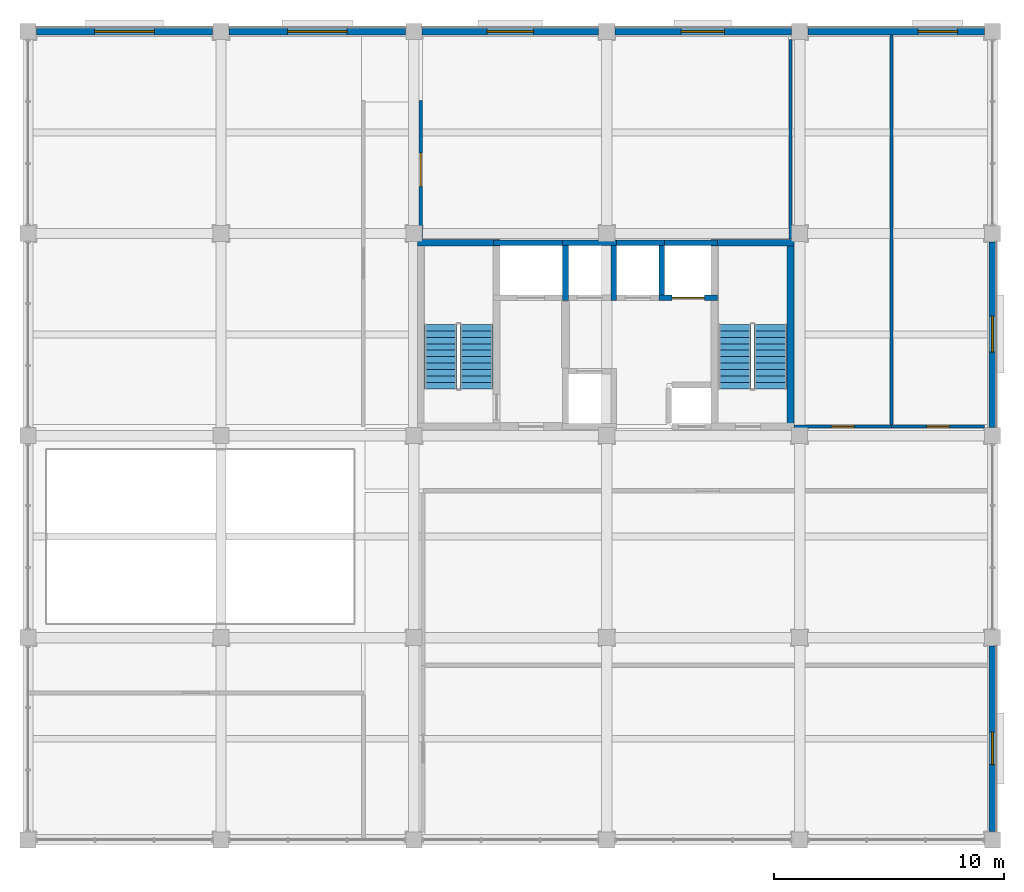
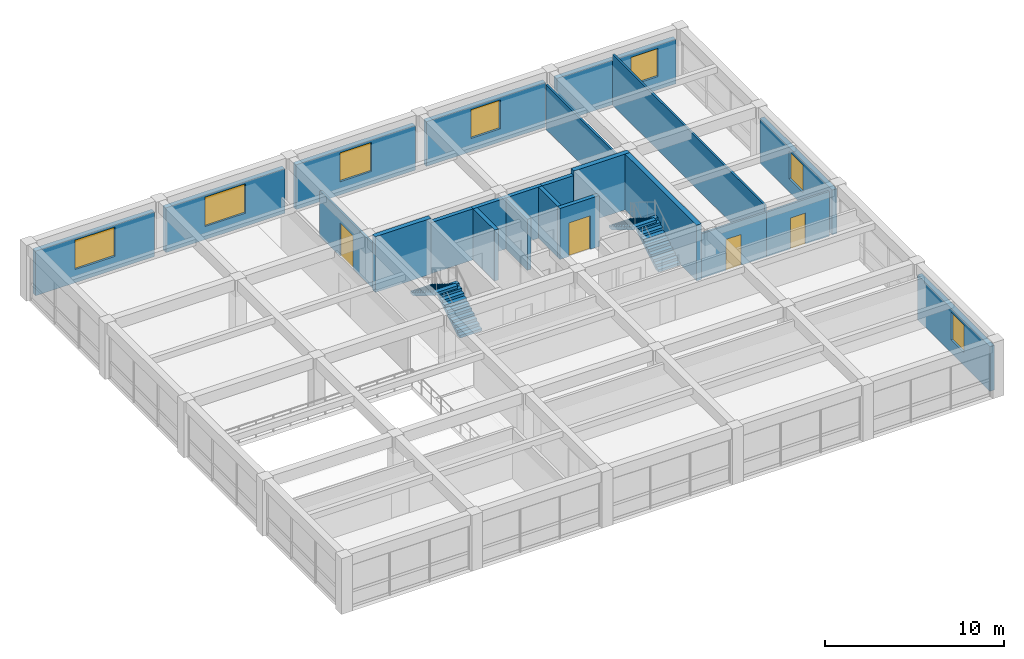
# One storey, part 10 of 13: 23 walls, 7 windows, 4 doors, 4 stair flights, 11 openings, 2 elements without a shape of their own.
"""IFC4 building model written with IfcOpenShell, lengths in metres."""

from ifc_helpers import new_model, si_unit, direction, frame, frame_2d, origin, place, context, subcontext, project, spatial, polyline, rectangle, outline, extrude, material, layer, layer_set, type_object, element, fill, aggregate, save


model = new_model("IFC4")

# Units and contexts
model_context = context("Model", 3, precision=1e-05, world=origin(), true_north=direction((0.0, 1.0)))
body_context = subcontext(model_context, "Body", "Model", "MODEL_VIEW")
ifc_project = project(units=[si_unit("LENGTHUNIT", "METRE"), si_unit("AREAUNIT", "SQUARE_METRE"), si_unit("VOLUMEUNIT", "CUBIC_METRE"), si_unit("PLANEANGLEUNIT", "RADIAN"), si_unit("MASSUNIT", "GRAM", prefix="KILO")], contexts=[model_context])

# Site, building, storey
site_placement = place(None, origin())
site = spatial("IfcSite", under=ifc_project, at=site_placement, CompositionType="ELEMENT")
building_placement = place(site_placement, origin())
building = spatial("IfcBuilding", under=site, at=building_placement, Name="Kemercrest Conservatory and Botanical Centre", CompositionType="ELEMENT")
storey_placement = place(building_placement, frame((0.0, 0.0, 40.60009765625)))
storey = spatial("IfcBuildingStorey", under=building, at=storey_placement, Name="L10", CompositionType="ELEMENT", Elevation=40.60009765625)

# Walls
ifc_material_1 = material(Name="Concrete C50/60", Category="concrete")
ifc_layer_1 = layer(ifc_material_1, 0.300048828125)
ifc_layer_set_1 = layer_set([ifc_layer_1], Name="Concrete C50/60")
wall_type_1 = type_object("IfcWallType", Name="CW-STAIR", PredefinedType="SHEAR", material=ifc_layer_set_1)
for number, where, z_axis, x_axis, name in (
    (1, (150.949951171875, 113.199951171875, 0.0), (0.0, 0.0, 1.0), (1.0, 0.0, 0.0), "Stair core ST-V4A shear wall N"),
    (2, (163.75, 113.199951171875, 0.0), (0.0, 0.0, 1.0), (1.0, 0.0, 0.0), "Stair core ST-V4B shear wall N"),
):
    element("IfcWall", number, at=place(storey_placement, frame(where, z_axis=z_axis, x_axis=x_axis)), inside=storey, type_object=wall_type_1, Name=name, PredefinedType="SHEAR", context=body_context, shape_type="SweptSolid", body=[
        extrude(rectangle(XDim=3.60009765625, YDim=0.300048828125, at=frame_2d((1.800048828125, 0.0))), origin(), (0.0, 0.0, 1.0), 3.7998046875),
    ])
wall_1_placement = place(storey_placement, frame((167.199951171875, 105.050048828125, 0.0), z_axis=(0.0, 0.0, 1.0), x_axis=(0.0, 1.0, 0.0)))
element("IfcWall", 3, at=wall_1_placement, inside=storey, type_object=wall_type_1, Name="Stair core ST-V4B shear wall E", PredefinedType="SHEAR", context=body_context, shape_type="SweptSolid", body=[
    extrude(rectangle(XDim=8.300048828125, YDim=0.300048828125, at=frame_2d((4.14990234375, 0.0))), origin(), (0.0, 0.0, 1.0), 3.7998046875),
])

# Wall, opening, window
ifc_material_2 = material(Name="Precast concrete C40/50", Category="concrete")
ifc_layer_2 = layer(ifc_material_2, 0.300048828125)
ifc_layer_set_2 = layer_set([ifc_layer_2], Name="Precast concrete C40/50")
wall_type_2 = type_object("IfcWallType", Name="W-EXT300", PredefinedType="SOLIDWALL", material=ifc_layer_set_2)
wall_2_placement = place(storey_placement, frame((176.0, 87.56005859375, 0.0), z_axis=(0.0, 0.0, 1.0), x_axis=(0.0, 1.0, 0.0)))
wall_2 = element("IfcWall", 4, at=wall_2_placement, inside=storey, type_object=wall_type_2, Name="Exterior almasik wall W-EXT300 (WAL:L10:EXT-293)", PredefinedType="SOLIDWALL", context=body_context, shape_type="SweptSolid", body=[
    extrude(rectangle(XDim=8.079833984375, YDim=0.300048828125, at=frame_2d((4.0400390625, 0.0))), origin(), (0.0, 0.0, 1.0), 3.0498046875),
])
opening_1_placement = place(wall_2_placement, frame((2.909912109375, 0.0, 0.89990234375)))
opening_1 = element("IfcOpeningElement", 5, at=opening_1_placement, cuts=wall_2, Name="Opening WT-30", PredefinedType="OPENING", context=body_context, shape_type="SweptSolid", body=[
    extrude(rectangle(XDim=1.419921875, YDim=1.860107421875, at=frame_2d((0.7099609375, 0.93017578125))), frame((0.0, 0.16015625, 0.0), z_axis=(0.0, -1.0, 0.0), x_axis=(1.0, 0.0, 0.0)), (0.0, 0.0, 1.0), 0.320068359375),
])
ifc_material_3 = material(Name="Thermally broken bronze-anodized aluminium and triple glazing", Category="aluminium")
window_type_1 = type_object("IfcWindowType", Name="WT-30", PartitioningType="SINGLE_PANEL", PredefinedType="WINDOW", material=ifc_material_3)
window_1_placement = place(opening_1_placement, origin())
window_1 = element("IfcWindow", 6, at=window_1_placement, inside=storey, type_object=window_type_1, Name="Exterior window WT-30 (WIN:L10:EXT-293)", OverallHeight=1.860107421875, OverallWidth=1.419921875, PartitioningType="SINGLE_PANEL", PredefinedType="WINDOW", context=body_context, shape_type="SweptSolid", body=[
    extrude(rectangle(XDim=1.419921875, YDim=1.860107421875, at=frame_2d((0.7099609375, 0.93017578125))), frame((0.0, 0.030029296875, 0.0), z_axis=(0.0, -1.0, 0.0), x_axis=(1.0, 0.0, 0.0)), (0.0, 0.0, 1.0), 0.06005859375),
])
fill(opening_1, window_1)

wall_3_placement = place(storey_placement, frame((176.0, 105.159912109375, 0.0), z_axis=(0.0, 0.0, 1.0), x_axis=(0.0, 1.0, 0.0)))
wall_3 = element("IfcWall", 7, at=wall_3_placement, inside=storey, type_object=wall_type_2, Name="Exterior almasik wall W-EXT300 (WAL:L10:EXT-294)", PredefinedType="SOLIDWALL", context=body_context, shape_type="SweptSolid", body=[
    extrude(rectangle(XDim=8.080078125, YDim=0.300048828125, at=frame_2d((4.0400390625, 0.0))), origin(), (0.0, 0.0, 1.0), 3.0498046875),
])
opening_2_placement = place(wall_3_placement, frame((3.280029296875, 0.0, 0.89990234375)))
opening_2 = element("IfcOpeningElement", 8, at=opening_2_placement, cuts=wall_3, Name="Opening WT-31", PredefinedType="OPENING", context=body_context, shape_type="SweptSolid", body=[
    extrude(rectangle(XDim=1.56005859375, YDim=1.8798828125, at=frame_2d((0.780029296875, 0.93994140625))), frame((0.0, 0.16015625, 0.0), z_axis=(0.0, -1.0, 0.0), x_axis=(1.0, 0.0, 0.0)), (0.0, 0.0, 1.0), 0.320068359375),
])
window_type_2 = type_object("IfcWindowType", Name="WT-31", PartitioningType="SINGLE_PANEL", PredefinedType="WINDOW", material=ifc_material_3)
window_2_placement = place(opening_2_placement, origin())
window_2 = element("IfcWindow", 9, at=window_2_placement, inside=storey, type_object=window_type_2, Name="Exterior window WT-31 (WIN:L10:EXT-294)", OverallHeight=1.8798828125, OverallWidth=1.56005859375, PartitioningType="SINGLE_PANEL", PredefinedType="WINDOW", context=body_context, shape_type="SweptSolid", body=[
    extrude(rectangle(XDim=1.56005859375, YDim=1.8798828125, at=frame_2d((0.780029296875, 0.93994140625))), frame((0.0, 0.030029296875, 0.0), z_axis=(0.0, -1.0, 0.0), x_axis=(1.0, 0.0, 0.0)), (0.0, 0.0, 1.0), 0.06005859375),
])
fill(opening_2, window_2)

wall_4_placement = place(storey_placement, frame((175.639892578125, 122.39990234375, 0.0), z_axis=(0.0, 0.0, 1.0), x_axis=(-1.0, 0.0, 0.0)))
wall_4 = element("IfcWall", 10, at=wall_4_placement, inside=storey, type_object=wall_type_2, Name="Exterior almasik wall W-EXT300 (WAL:L10:EXT-295)", PredefinedType="SOLIDWALL", context=body_context, shape_type="SweptSolid", body=[
    extrude(rectangle(XDim=7.679931640625, YDim=0.300048828125, at=frame_2d((3.83984375, 0.0))), origin(), (0.0, 0.0, 1.0), 3.0498046875),
])
opening_3_placement = place(wall_4_placement, frame((1.159912109375, 0.0, 0.89990234375)))
opening_3 = element("IfcOpeningElement", 11, at=opening_3_placement, cuts=wall_4, Name="Opening WT-32", PredefinedType="OPENING", context=body_context, shape_type="SweptSolid", body=[
    extrude(rectangle(XDim=1.719970703125, YDim=1.919921875, at=frame_2d((0.85986328125, 0.9599609375))), frame((0.0, 0.16015625, 0.0), z_axis=(0.0, -1.0, 0.0), x_axis=(1.0, 0.0, 0.0)), (0.0, 0.0, 1.0), 0.320068359375),
])
window_type_3 = type_object("IfcWindowType", Name="WT-32", PartitioningType="SINGLE_PANEL", PredefinedType="WINDOW", material=ifc_material_3)
window_3_placement = place(opening_3_placement, origin())
window_3 = element("IfcWindow", 12, at=window_3_placement, inside=storey, type_object=window_type_3, Name="Exterior window WT-32 (WIN:L10:EXT-295)", OverallHeight=1.919921875, OverallWidth=1.719970703125, PartitioningType="SINGLE_PANEL", PredefinedType="WINDOW", context=body_context, shape_type="SweptSolid", body=[
    extrude(rectangle(XDim=1.719970703125, YDim=1.919921875, at=frame_2d((0.85986328125, 0.9599609375))), frame((0.0, 0.030029296875, 0.0), z_axis=(0.0, -1.0, 0.0), x_axis=(1.0, 0.0, 0.0)), (0.0, 0.0, 1.0), 0.06005859375),
])
fill(opening_3, window_3)

wall_5_placement = place(storey_placement, frame((167.239990234375, 122.39990234375, 0.0), z_axis=(0.0, 0.0, 1.0), x_axis=(-1.0, 0.0, 0.0)))
wall_5 = element("IfcWall", 13, at=wall_5_placement, inside=storey, type_object=wall_type_2, Name="Exterior almasik wall W-EXT300 (WAL:L10:EXT-296)", PredefinedType="SOLIDWALL", context=body_context, shape_type="SweptSolid", body=[
    extrude(rectangle(XDim=7.679931640625, YDim=0.300048828125, at=frame_2d((3.83984375, 0.0))), origin(), (0.0, 0.0, 1.0), 3.0498046875),
])
opening_4_placement = place(wall_5_placement, frame((2.919921875, 0.0, 0.89990234375)))
opening_4 = element("IfcOpeningElement", 14, at=opening_4_placement, cuts=wall_5, Name="Opening WT-33", PredefinedType="OPENING", context=body_context, shape_type="SweptSolid", body=[
    extrude(rectangle(XDim=1.8798828125, YDim=1.9599609375, at=frame_2d((0.93994140625, 0.97998046875))), frame((0.0, 0.16015625, 0.0), z_axis=(0.0, -1.0, 0.0), x_axis=(1.0, 0.0, 0.0)), (0.0, 0.0, 1.0), 0.320068359375),
])
window_type_4 = type_object("IfcWindowType", Name="WT-33", PartitioningType="SINGLE_PANEL", PredefinedType="WINDOW", material=ifc_material_3)
window_4_placement = place(opening_4_placement, origin())
window_4 = element("IfcWindow", 15, at=window_4_placement, inside=storey, type_object=window_type_4, Name="Exterior window WT-33 (WIN:L10:EXT-296)", OverallHeight=1.9599609375, OverallWidth=1.8798828125, PartitioningType="SINGLE_PANEL", PredefinedType="WINDOW", context=body_context, shape_type="SweptSolid", body=[
    extrude(rectangle(XDim=1.8798828125, YDim=1.9599609375, at=frame_2d((0.93994140625, 0.97998046875))), frame((0.0, 0.030029296875, 0.0), z_axis=(0.0, -1.0, 0.0), x_axis=(1.0, 0.0, 0.0)), (0.0, 0.0, 1.0), 0.06005859375),
])
fill(opening_4, window_4)

wall_6_placement = place(storey_placement, frame((158.840087890625, 122.39990234375, 0.0), z_axis=(0.0, 0.0, 1.0), x_axis=(-1.0, 0.0, 0.0)))
wall_6 = element("IfcWall", 16, at=wall_6_placement, inside=storey, type_object=wall_type_2, Name="Exterior almasik wall W-EXT300 (WAL:L10:EXT-297)", PredefinedType="SOLIDWALL", context=body_context, shape_type="SweptSolid", body=[
    extrude(rectangle(XDim=7.68017578125, YDim=0.300048828125, at=frame_2d((3.840087890625, 0.0))), origin(), (0.0, 0.0, 1.0), 3.0498046875),
])
opening_5_placement = place(wall_6_placement, frame((2.820068359375, 0.0, 0.89990234375)))
opening_5 = element("IfcOpeningElement", 17, at=opening_5_placement, cuts=wall_6, Name="Opening WT-34", PredefinedType="OPENING", context=body_context, shape_type="SweptSolid", body=[
    extrude(rectangle(XDim=2.0400390625, YDim=1.97998046875, at=frame_2d((1.02001953125, 0.989990234375))), frame((0.0, 0.16015625, 0.0), z_axis=(0.0, -1.0, 0.0), x_axis=(1.0, 0.0, 0.0)), (0.0, 0.0, 1.0), 0.320068359375),
])
window_type_5 = type_object("IfcWindowType", Name="WT-34", PartitioningType="SINGLE_PANEL", PredefinedType="WINDOW", material=ifc_material_3)
window_5_placement = place(opening_5_placement, origin())
window_5 = element("IfcWindow", 18, at=window_5_placement, inside=storey, type_object=window_type_5, Name="Exterior window WT-34 (WIN:L10:EXT-297)", OverallHeight=1.97998046875, OverallWidth=2.0400390625, PartitioningType="SINGLE_PANEL", PredefinedType="WINDOW", context=body_context, shape_type="SweptSolid", body=[
    extrude(rectangle(XDim=2.0400390625, YDim=1.97998046875, at=frame_2d((1.02001953125, 0.989990234375))), frame((0.0, 0.030029296875, 0.0), z_axis=(0.0, -1.0, 0.0), x_axis=(1.0, 0.0, 0.0)), (0.0, 0.0, 1.0), 0.06005859375),
])
fill(opening_5, window_5)

wall_7_placement = place(storey_placement, frame((150.43994140625, 122.39990234375, 0.0), z_axis=(0.0, 0.0, 1.0), x_axis=(-1.0, 0.0, 0.0)))
wall_7 = element("IfcWall", 19, at=wall_7_placement, inside=storey, type_object=wall_type_2, Name="Exterior almasik wall W-EXT300 (WAL:L10:EXT-298)", PredefinedType="SOLIDWALL", context=body_context, shape_type="SweptSolid", body=[
    extrude(rectangle(XDim=7.679931640625, YDim=0.300048828125, at=frame_2d((3.83984375, 0.0))), origin(), (0.0, 0.0, 1.0), 3.0498046875),
])
opening_6_placement = place(wall_7_placement, frame((2.5400390625, 0.0, 0.89990234375)))
opening_6 = element("IfcOpeningElement", 20, at=opening_6_placement, cuts=wall_7, Name="Opening WT-10", PredefinedType="OPENING", context=body_context, shape_type="SweptSolid", body=[
    extrude(rectangle(XDim=2.60009765625, YDim=2.0, at=frame_2d((1.300048828125, 1.0))), frame((0.0, 0.16015625, 0.0), z_axis=(0.0, -1.0, 0.0), x_axis=(1.0, 0.0, 0.0)), (0.0, 0.0, 1.0), 0.320068359375),
])
window_type_6 = type_object("IfcWindowType", Name="WT-10", PartitioningType="SINGLE_PANEL", PredefinedType="WINDOW", material=ifc_material_3)
window_6_placement = place(opening_6_placement, origin())
window_6 = element("IfcWindow", 21, at=window_6_placement, inside=storey, type_object=window_type_6, Name="Exterior window WT-10 (WIN:L10:EXT-298)", OverallHeight=2.0, OverallWidth=2.60009765625, PartitioningType="SINGLE_PANEL", PredefinedType="WINDOW", context=body_context, shape_type="SweptSolid", body=[
    extrude(rectangle(XDim=2.60009765625, YDim=2.0, at=frame_2d((1.300048828125, 1.0))), frame((0.0, 0.030029296875, 0.0), z_axis=(0.0, -1.0, 0.0), x_axis=(1.0, 0.0, 0.0)), (0.0, 0.0, 1.0), 0.06005859375),
])
fill(opening_6, window_6)

wall_8_placement = place(storey_placement, frame((142.0400390625, 122.39990234375, 0.0), z_axis=(0.0, 0.0, 1.0), x_axis=(-1.0, 0.0, 0.0)))
wall_8 = element("IfcWall", 22, at=wall_8_placement, inside=storey, type_object=wall_type_2, Name="Exterior almasik wall W-EXT300 (WAL:L10:EXT-299)", PredefinedType="SOLIDWALL", context=body_context, shape_type="SweptSolid", body=[
    extrude(rectangle(XDim=7.679931640625, YDim=0.300048828125, at=frame_2d((3.83984375, 0.0))), origin(), (0.0, 0.0, 1.0), 3.0498046875),
])
opening_7_placement = place(wall_8_placement, frame((2.5400390625, 0.0, 0.89990234375)))
opening_7 = element("IfcOpeningElement", 23, at=opening_7_placement, cuts=wall_8, Name="Opening WT-10", PredefinedType="OPENING", context=body_context, shape_type="SweptSolid", body=[
    extrude(rectangle(XDim=2.60009765625, YDim=2.0, at=frame_2d((1.300048828125, 1.0))), frame((0.0, 0.16015625, 0.0), z_axis=(0.0, -1.0, 0.0), x_axis=(1.0, 0.0, 0.0)), (0.0, 0.0, 1.0), 0.320068359375),
])
window_7_placement = place(opening_7_placement, origin())
window_7 = element("IfcWindow", 24, at=window_7_placement, inside=storey, type_object=window_type_6, Name="Exterior window WT-10 (WIN:L10:EXT-299)", OverallHeight=2.0, OverallWidth=2.60009765625, PartitioningType="SINGLE_PANEL", PredefinedType="WINDOW", context=body_context, shape_type="SweptSolid", body=[
    extrude(rectangle(XDim=2.60009765625, YDim=2.0, at=frame_2d((1.300048828125, 1.0))), frame((0.0, 0.030029296875, 0.0), z_axis=(0.0, -1.0, 0.0), x_axis=(1.0, 0.0, 0.0)), (0.0, 0.0, 1.0), 0.06005859375),
])
fill(opening_7, window_7)

# Wall, opening, door
ifc_material_4 = material(Name="Moisture-resistant gypsum board partition", Category="gypsum")
ifc_layer_3 = layer(ifc_material_4, 0.125)
ifc_layer_set_3 = layer_set([ifc_layer_3], Name="Moisture-resistant gypsum board partition")
wall_type_3 = type_object("IfcWallType", Name="W-PART125", PredefinedType="PARTITIONING", material=ifc_layer_set_3)
wall_9_placement = place(storey_placement, frame((167.35498046875, 105.199951171875, 0.0), z_axis=(0.0, 0.0, 1.0), x_axis=(1.0, 0.0, 0.0)))
wall_9 = element("IfcWall", 25, at=wall_9_placement, inside=storey, type_object=wall_type_3, Name="Interior partition W-PART125 #243", PredefinedType="PARTITIONING", context=body_context, shape_type="SweptSolid", body=[
    extrude(rectangle(XDim=4.2451171875, YDim=0.125, at=frame_2d((2.12255859375, 0.0))), origin(), (0.0, 0.0, 1.0), 3.044921875),
])
opening_8_placement = place(wall_9_placement, frame((1.632568359375, 0.0, 0.0)))
opening_8 = element("IfcOpeningElement", 26, at=opening_8_placement, cuts=wall_9, Name="Opening D243", PredefinedType="OPENING", context=body_context, shape_type="SweptSolid", body=[
    extrude(rectangle(XDim=0.97998046875, YDim=2.10009765625, at=frame_2d((0.489990234375, 1.050048828125))), frame((0.0, 0.072509765625, 0.0), z_axis=(0.0, -1.0, 0.0), x_axis=(1.0, 0.0, 0.0)), (0.0, 0.0, 1.0), 0.14501953125),
])
ifc_material_5 = material(Name="FSC solid-core white oak veneer and anodized aluminium frame", Category="aluminium")
door_type_1 = type_object("IfcDoorType", Name="DT-02", OperationType="NOTDEFINED", PredefinedType="DOOR", material=ifc_material_5)
door_1_placement = place(opening_8_placement, origin())
door_1 = element("IfcDoor", 27, at=door_1_placement, inside=storey, type_object=door_type_1, Name="Staff Washroom door D243", OperationType="SINGLE_SWING_LEFT", OverallHeight=2.10009765625, OverallWidth=0.97998046875, PredefinedType="DOOR", context=body_context, shape_type="SweptSolid", body=[
    extrude(rectangle(XDim=0.97998046875, YDim=2.10009765625, at=frame_2d((0.489990234375, 1.050048828125))), frame((0.0, 0.02490234375, 0.0), z_axis=(0.0, -1.0, 0.0), x_axis=(1.0, 0.0, 0.0)), (0.0, 0.0, 1.0), 0.050048828125),
])
fill(opening_8, door_1)

wall_10_placement = place(storey_placement, frame((171.60009765625, 105.199951171875, 0.0), z_axis=(0.0, 0.0, 1.0), x_axis=(1.0, 0.0, 0.0)))
wall_10 = element("IfcWall", 28, at=wall_10_placement, inside=storey, type_object=wall_type_3, Name="Interior partition W-PART125 #244", PredefinedType="PARTITIONING", context=body_context, shape_type="SweptSolid", body=[
    extrude(rectangle(XDim=4.0498046875, YDim=0.125, at=frame_2d((2.02490234375, 0.0))), origin(), (0.0, 0.0, 1.0), 3.044921875),
])
opening_9_placement = place(wall_10_placement, frame((1.534912109375, 0.0, 0.0)))
opening_9 = element("IfcOpeningElement", 29, at=opening_9_placement, cuts=wall_10, Name="Opening D244", PredefinedType="OPENING", context=body_context, shape_type="SweptSolid", body=[
    extrude(rectangle(XDim=0.97998046875, YDim=2.10009765625, at=frame_2d((0.489990234375, 1.050048828125))), frame((0.0, 0.072509765625, 0.0), z_axis=(0.0, -1.0, 0.0), x_axis=(1.0, 0.0, 0.0)), (0.0, 0.0, 1.0), 0.14501953125),
])
door_2_placement = place(opening_9_placement, origin())
door_2 = element("IfcDoor", 30, at=door_2_placement, inside=storey, type_object=door_type_1, Name="Accessible Washroom door D244", OperationType="SINGLE_SWING_RIGHT", OverallHeight=2.10009765625, OverallWidth=0.97998046875, PredefinedType="DOOR", context=body_context, shape_type="SweptSolid", body=[
    extrude(rectangle(XDim=0.97998046875, YDim=2.10009765625, at=frame_2d((0.489990234375, 1.050048828125))), frame((0.0, 0.02490234375, 0.0), z_axis=(0.0, -1.0, 0.0), x_axis=(1.0, 0.0, 0.0)), (0.0, 0.0, 1.0), 0.050048828125),
])
fill(opening_9, door_2)

# Walls
wall_11_placement = place(storey_placement, frame((167.199951171875, 113.35498046875, 0.0), z_axis=(0.0, 0.0, 1.0), x_axis=(0.0, 1.0, 0.0)))
element("IfcWall", 31, at=wall_11_placement, inside=storey, type_object=wall_type_3, Name="Interior partition W-PART125 #252", PredefinedType="PARTITIONING", context=body_context, shape_type="SweptSolid", body=[
    extrude(rectangle(XDim=8.695068359375, YDim=0.125, at=frame_2d((4.34765625, 0.0))), origin(), (0.0, 0.0, 1.0), 3.044921875),
])
wall_12_placement = place(storey_placement, frame((171.60009765625, 105.267578125, 0.0), z_axis=(0.0, 0.0, 1.0), x_axis=(0.0, 1.0, 0.0)))
element("IfcWall", 32, at=wall_12_placement, inside=storey, type_object=wall_type_3, Name="Interior partition W-PART125 #253", PredefinedType="PARTITIONING", context=body_context, shape_type="SweptSolid", body=[
    extrude(rectangle(XDim=16.9775390625, YDim=0.125, at=frame_2d((8.48876953125, 0.0))), origin(), (0.0, 0.0, 1.0), 3.46484375),
])

# Wall, opening, door
ifc_material_6 = material(Name="Steel-stud gypsum board partition", Category="steel")
ifc_layer_4 = layer(ifc_material_6, 0.14990234375)
ifc_layer_set_4 = layer_set([ifc_layer_4], Name="Steel-stud gypsum board partition")
wall_type_4 = type_object("IfcWallType", Name="W-PART150", PredefinedType="PARTITIONING", material=ifc_layer_set_4)
wall_13_placement = place(storey_placement, frame((151.10009765625, 113.35498046875, 0.0), z_axis=(0.0, 0.0, 1.0), x_axis=(0.0, 1.0, 0.0)))
wall_13 = element("IfcWall", 33, at=wall_13_placement, inside=storey, type_object=wall_type_4, Name="Interior partition W-PART150 #250", PredefinedType="PARTITIONING", context=body_context, shape_type="SweptSolid", body=[
    extrude(rectangle(XDim=6.044921875, YDim=0.14990234375, at=frame_2d((3.0224609375, 0.0))), origin(), (0.0, 0.0, 1.0), 3.044921875),
])
opening_10_placement = place(wall_13_placement, frame((2.302490234375, 0.0, 0.0)))
opening_10 = element("IfcOpeningElement", 34, at=opening_10_placement, cuts=wall_13, Name="Opening D248", PredefinedType="OPENING", context=body_context, shape_type="SweptSolid", body=[
    extrude(rectangle(XDim=1.43994140625, YDim=2.260009765625, at=frame_2d((0.719970703125, 1.1298828125))), frame((0.0, 0.0849609375, 0.0), z_axis=(0.0, -1.0, 0.0), x_axis=(1.0, 0.0, 0.0)), (0.0, 0.0, 1.0), 0.169921875),
])
door_type_2 = type_object("IfcDoorType", Name="DT-29", OperationType="DOUBLE_DOOR_SINGLE_SWING", PredefinedType="DOOR", material=ifc_material_5)
door_3_placement = place(opening_10_placement, origin())
door_3 = element("IfcDoor", 35, at=door_3_placement, inside=storey, type_object=door_type_2, Name="Postdoctoral Research Office door D248", OperationType="DOUBLE_DOOR_SINGLE_SWING", OverallHeight=2.260009765625, OverallWidth=1.43994140625, PredefinedType="DOOR", context=body_context, shape_type="SweptSolid", body=[
    extrude(rectangle(XDim=1.43994140625, YDim=2.260009765625, at=frame_2d((0.719970703125, 1.1298828125))), frame((0.0, 0.02490234375, 0.0), z_axis=(0.0, -1.0, 0.0), x_axis=(1.0, 0.0, 0.0)), (0.0, 0.0, 1.0), 0.050048828125),
])
fill(opening_10, door_3)

# Walls
ifc_material_7 = material(Name="Concrete C40/50", Category="concrete")
ifc_layer_5 = layer(ifc_material_7, 0.25)
ifc_layer_set_5 = layer_set([ifc_layer_5], Name="Concrete C40/50")
wall_type_5 = type_object("IfcWallType", Name="W-SHFT250", PredefinedType="SOLIDWALL", material=ifc_layer_set_5)
wall_14_placement = place(storey_placement, frame((154.27490234375, 113.199951171875, 0.0), z_axis=(0.0, 0.0, 1.0), x_axis=(1.0, 0.0, 0.0)))
element("IfcWall", 36, at=wall_14_placement, inside=storey, type_object=wall_type_5, Name="Elevator LF-FF1 shaft wall north", PredefinedType="SOLIDWALL", context=body_context, shape_type="SweptSolid", body=[
    extrude(rectangle(XDim=3.25, YDim=0.25, at=frame_2d((1.625, 0.0))), origin(), (0.0, 0.0, 1.0), 3.47998046875),
])
wall_15_placement = place(storey_placement, frame((157.39990234375, 110.675048828125, 0.0), z_axis=(0.0, 0.0, 1.0), x_axis=(0.0, 1.0, 0.0)))
element("IfcWall", 37, at=wall_15_placement, inside=storey, type_object=wall_type_5, Name="Elevator LF-FF1 shaft wall east", PredefinedType="SOLIDWALL", context=body_context, shape_type="SweptSolid", body=[
    extrude(rectangle(XDim=2.64990234375, YDim=0.25, at=frame_2d((1.324951171875, 0.0))), origin(), (0.0, 0.0, 1.0), 3.47998046875),
])
wall_16_placement = place(storey_placement, frame((157.27490234375, 113.199951171875, 0.0), z_axis=(0.0, 0.0, 1.0), x_axis=(1.0, 0.0, 0.0)))
element("IfcWall", 38, at=wall_16_placement, inside=storey, type_object=wall_type_5, Name="Elevator LF-P1 shaft wall north", PredefinedType="SOLIDWALL", context=body_context, shape_type="SweptSolid", body=[
    extrude(rectangle(XDim=2.35009765625, YDim=0.25, at=frame_2d((1.175048828125, 0.0))), origin(), (0.0, 0.0, 1.0), 3.47998046875),
])
wall_17_placement = place(storey_placement, frame((159.5, 110.675048828125, 0.0), z_axis=(0.0, 0.0, 1.0), x_axis=(0.0, 1.0, 0.0)))
element("IfcWall", 39, at=wall_17_placement, inside=storey, type_object=wall_type_5, Name="Elevator LF-P1 shaft wall east", PredefinedType="SOLIDWALL", context=body_context, shape_type="SweptSolid", body=[
    extrude(rectangle(XDim=2.64990234375, YDim=0.25, at=frame_2d((1.324951171875, 0.0))), origin(), (0.0, 0.0, 1.0), 3.47998046875),
])
wall_18_placement = place(storey_placement, frame((159.375, 113.199951171875, 0.0), z_axis=(0.0, 0.0, 1.0), x_axis=(1.0, 0.0, 0.0)))
element("IfcWall", 40, at=wall_18_placement, inside=storey, type_object=wall_type_5, Name="Elevator LF-P2 shaft wall north", PredefinedType="SOLIDWALL", context=body_context, shape_type="SweptSolid", body=[
    extrude(rectangle(XDim=2.35009765625, YDim=0.25, at=frame_2d((1.175048828125, 0.0))), origin(), (0.0, 0.0, 1.0), 3.47998046875),
])
wall_19_placement = place(storey_placement, frame((161.60009765625, 110.675048828125, 0.0), z_axis=(0.0, 0.0, 1.0), x_axis=(0.0, 1.0, 0.0)))
element("IfcWall", 41, at=wall_19_placement, inside=storey, type_object=wall_type_5, Name="Elevator LF-P2 shaft wall east", PredefinedType="SOLIDWALL", context=body_context, shape_type="SweptSolid", body=[
    extrude(rectangle(XDim=2.64990234375, YDim=0.25, at=frame_2d((1.324951171875, 0.0))), origin(), (0.0, 0.0, 1.0), 3.47998046875),
])

# Wall, opening, door
wall_20_placement = place(storey_placement, frame((161.47509765625, 110.800048828125, 0.0), z_axis=(0.0, 0.0, 1.0), x_axis=(1.0, 0.0, 0.0)))
wall_20 = element("IfcWall", 42, at=wall_20_placement, inside=storey, type_object=wall_type_5, Name="Elevator LF-G1 shaft wall south", PredefinedType="SOLIDWALL", context=body_context, shape_type="SweptSolid", body=[
    extrude(rectangle(XDim=2.5498046875, YDim=0.25, at=frame_2d((1.27490234375, 0.0))), origin(), (0.0, 0.0, 1.0), 3.47998046875),
])
opening_11_placement = place(wall_20_placement, frame((0.574951171875, 0.0, 0.0)))
opening_11 = element("IfcOpeningElement", 43, at=opening_11_placement, cuts=wall_20, Name="Opening LD-086", PredefinedType="OPENING", context=body_context, shape_type="SweptSolid", body=[
    extrude(rectangle(XDim=1.39990234375, YDim=2.300048828125, at=frame_2d((0.699951171875, 1.14990234375))), frame((0.0, 0.135009765625, 0.0), z_axis=(0.0, -1.0, 0.0), x_axis=(1.0, 0.0, 0.0)), (0.0, 0.0, 1.0), 0.27001953125),
])
ifc_material_8 = material(Name="Powder-coated galvanized steel and fire-rated vision glass", Category="steel")
door_type_3 = type_object("IfcDoorType", Name="DT-LD03", OperationType="SLIDING_TO_LEFT", PredefinedType="DOOR", material=ifc_material_8)
door_4_placement = place(opening_11_placement, origin())
door_4 = element("IfcDoor", 44, at=door_4_placement, inside=storey, type_object=door_type_3, Name="Elevator LF-G1 sliding landing door LD-086", OperationType="SLIDING_TO_LEFT", OverallHeight=2.300048828125, OverallWidth=1.39990234375, PredefinedType="DOOR", context=body_context, shape_type="SweptSolid", body=[
    extrude(rectangle(XDim=1.39990234375, YDim=2.300048828125, at=frame_2d((0.699951171875, 1.14990234375))), frame((0.0, 0.02490234375, 0.0), z_axis=(0.0, -1.0, 0.0), x_axis=(1.0, 0.0, 0.0)), (0.0, 0.0, 1.0), 0.050048828125),
])
fill(opening_11, door_4)

# Wall
wall_21_placement = place(storey_placement, frame((161.47509765625, 113.199951171875, 0.0), z_axis=(0.0, 0.0, 1.0), x_axis=(1.0, 0.0, 0.0)))
element("IfcWall", 45, at=wall_21_placement, inside=storey, type_object=wall_type_5, Name="Elevator LF-G1 shaft wall north", PredefinedType="SOLIDWALL", context=body_context, shape_type="SweptSolid", body=[
    extrude(rectangle(XDim=2.5498046875, YDim=0.25, at=frame_2d((1.27490234375, 0.0))), origin(), (0.0, 0.0, 1.0), 3.47998046875),
])

# Stair, stair flights
stair_type = type_object("IfcStairType", Name="ST-142-38", PredefinedType="HALF_TURN_STAIR", material=ifc_material_7)
stair_1_placement = place(storey_placement, origin())
stair_1 = element("IfcStair", 46, at=stair_1_placement, inside=storey, type_object=stair_type, Name="L10 Exit stair ST-V4A", PredefinedType="HALF_TURN_STAIR")
stair_flight_type = type_object("IfcStairFlightType", Name="FL-142-38", PredefinedType="STRAIGHT", material=ifc_material_7)
stair_flight_1_placement = place(storey_placement, frame((153.530029296875, 106.840087890625, 0.0), z_axis=(0.0, 0.0, 1.0), x_axis=(0.0, 1.0, 0.0)))
stair_flight_1 = element("IfcStairFlight", 47, at=stair_flight_1_placement, type_object=stair_flight_type, Name="ST-V4A flight 1", NumberOfRisers=11, NumberOfTreads=10, PredefinedType="STRAIGHT", RiserHeight=0.172727273, TreadLength=0.28, context=body_context, shape_type="SweptSolid", body=[
    extrude(outline(polyline([(0.0, 0.0), (0.0, 0.172607421875), (0.280029296875, 0.172607421875), (0.280029296875, 0.345458984375), (0.56005859375, 0.345458984375), (0.56005859375, 0.51806640625), (0.840087890625, 0.51806640625), (0.840087890625, 0.69091796875), (1.1201171875, 0.69091796875), (1.1201171875, 0.863525390625), (1.39990234375, 0.863525390625), (1.39990234375, 1.036376953125), (1.679931640625, 1.036376953125), (1.679931640625, 1.208984375), (1.9599609375, 1.208984375), (1.9599609375, 1.3818359375), (2.239990234375, 1.3818359375), (2.239990234375, 1.554443359375), (2.52001953125, 1.554443359375), (2.52001953125, 1.727294921875), (2.800048828125, 1.727294921875), (2.800048828125, 1.89990234375), (2.800048828125, 1.551025390625), (0.285400390625, 0.0), (0.0, 0.0)])), frame((0.0, 0.7099609375, 0.0), z_axis=(0.0, -1.0, 0.0), x_axis=(1.0, 0.0, 0.0)), (0.0, 0.0, 1.0), 1.419921875),
])
stair_flight_2_placement = place(storey_placement, frame((151.969970703125, 109.639892578125, 1.89990234375), z_axis=(0.0, 0.0, 1.0), x_axis=(0.0, -1.0, 0.0)))
stair_flight_2 = element("IfcStairFlight", 48, at=stair_flight_2_placement, type_object=stair_flight_type, Name="ST-V4A flight 2", NumberOfRisers=11, NumberOfTreads=10, PredefinedType="STRAIGHT", RiserHeight=0.172727273, TreadLength=0.28, context=body_context, shape_type="SweptSolid", body=[
    extrude(outline(polyline([(0.0, 0.0), (0.0, 0.172607421875), (0.280029296875, 0.172607421875), (0.280029296875, 0.345458984375), (0.56005859375, 0.345458984375), (0.56005859375, 0.51806640625), (0.840087890625, 0.51806640625), (0.840087890625, 0.69091796875), (1.1201171875, 0.69091796875), (1.1201171875, 0.863525390625), (1.39990234375, 0.863525390625), (1.39990234375, 1.036376953125), (1.679931640625, 1.036376953125), (1.679931640625, 1.208984375), (1.9599609375, 1.208984375), (1.9599609375, 1.3818359375), (2.239990234375, 1.3818359375), (2.239990234375, 1.554443359375), (2.52001953125, 1.554443359375), (2.52001953125, 1.727294921875), (2.800048828125, 1.727294921875), (2.800048828125, 1.89990234375), (2.800048828125, 1.551025390625), (0.285400390625, 0.0), (0.0, 0.0)])), frame((0.0, 0.7099609375, 0.0), z_axis=(0.0, -1.0, 0.0), x_axis=(1.0, 0.0, 0.0)), (0.0, 0.0, 1.0), 1.419921875),
])
aggregate(stair_1, [stair_flight_1, stair_flight_2])

stair_2_placement = place(storey_placement, origin())
stair_2 = element("IfcStair", 49, at=stair_2_placement, inside=storey, type_object=stair_type, Name="L10 Exit stair ST-V4B", PredefinedType="HALF_TURN_STAIR")
stair_flight_3_placement = place(storey_placement, frame((166.330078125, 106.840087890625, 0.0), z_axis=(0.0, 0.0, 1.0), x_axis=(0.0, 1.0, 0.0)))
stair_flight_3 = element("IfcStairFlight", 50, at=stair_flight_3_placement, type_object=stair_flight_type, Name="ST-V4B flight 1", NumberOfRisers=11, NumberOfTreads=10, PredefinedType="STRAIGHT", RiserHeight=0.172727273, TreadLength=0.28, context=body_context, shape_type="SweptSolid", body=[
    extrude(outline(polyline([(0.0, 0.0), (0.0, 0.172607421875), (0.280029296875, 0.172607421875), (0.280029296875, 0.345458984375), (0.56005859375, 0.345458984375), (0.56005859375, 0.51806640625), (0.840087890625, 0.51806640625), (0.840087890625, 0.69091796875), (1.1201171875, 0.69091796875), (1.1201171875, 0.863525390625), (1.39990234375, 0.863525390625), (1.39990234375, 1.036376953125), (1.679931640625, 1.036376953125), (1.679931640625, 1.208984375), (1.9599609375, 1.208984375), (1.9599609375, 1.3818359375), (2.239990234375, 1.3818359375), (2.239990234375, 1.554443359375), (2.52001953125, 1.554443359375), (2.52001953125, 1.727294921875), (2.800048828125, 1.727294921875), (2.800048828125, 1.89990234375), (2.800048828125, 1.551025390625), (0.285400390625, 0.0), (0.0, 0.0)])), frame((0.0, 0.7099609375, 0.0), z_axis=(0.0, -1.0, 0.0), x_axis=(1.0, 0.0, 0.0)), (0.0, 0.0, 1.0), 1.419921875),
])
stair_flight_4_placement = place(storey_placement, frame((164.77001953125, 109.639892578125, 1.89990234375), z_axis=(0.0, 0.0, 1.0), x_axis=(0.0, -1.0, 0.0)))
stair_flight_4 = element("IfcStairFlight", 51, at=stair_flight_4_placement, type_object=stair_flight_type, Name="ST-V4B flight 2", NumberOfRisers=11, NumberOfTreads=10, PredefinedType="STRAIGHT", RiserHeight=0.172727273, TreadLength=0.28, context=body_context, shape_type="SweptSolid", body=[
    extrude(outline(polyline([(0.0, 0.0), (0.0, 0.172607421875), (0.280029296875, 0.172607421875), (0.280029296875, 0.345458984375), (0.56005859375, 0.345458984375), (0.56005859375, 0.51806640625), (0.840087890625, 0.51806640625), (0.840087890625, 0.69091796875), (1.1201171875, 0.69091796875), (1.1201171875, 0.863525390625), (1.39990234375, 0.863525390625), (1.39990234375, 1.036376953125), (1.679931640625, 1.036376953125), (1.679931640625, 1.208984375), (1.9599609375, 1.208984375), (1.9599609375, 1.3818359375), (2.239990234375, 1.3818359375), (2.239990234375, 1.554443359375), (2.52001953125, 1.554443359375), (2.52001953125, 1.727294921875), (2.800048828125, 1.727294921875), (2.800048828125, 1.89990234375), (2.800048828125, 1.551025390625), (0.285400390625, 0.0), (0.0, 0.0)])), frame((0.0, 0.7099609375, 0.0), z_axis=(0.0, -1.0, 0.0), x_axis=(1.0, 0.0, 0.0)), (0.0, 0.0, 1.0), 1.419921875),
])
aggregate(stair_2, [stair_flight_3, stair_flight_4])

save(model, "model.ifc")
